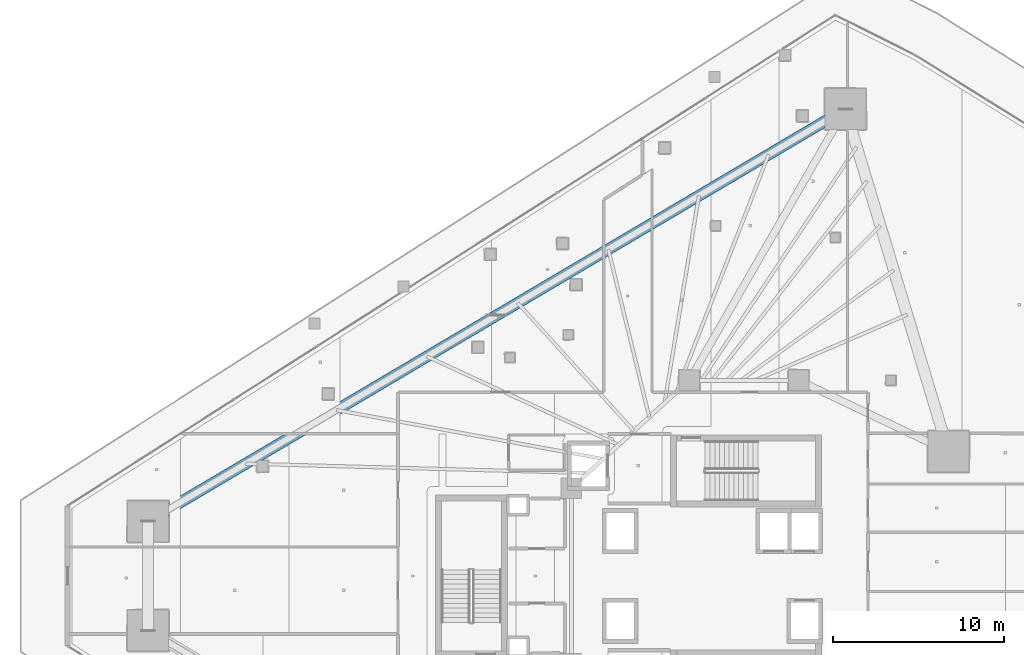
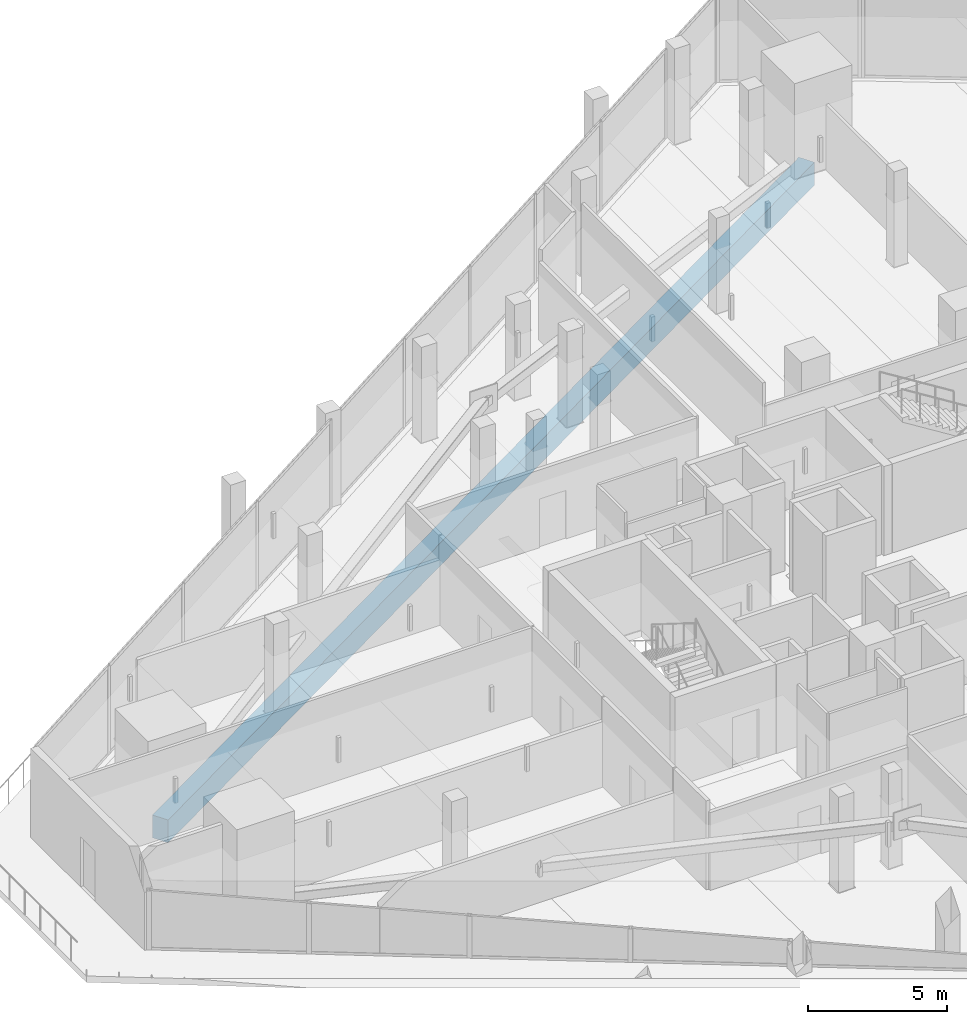
# One storey, part 21 of 52: 1 beam.
"""IFC4 building model written with IfcOpenShell, lengths in metres."""

import ifcopenshell
import ifcopenshell.guid

model = None  # the IFC model being written
_history = None  # IfcOwnerHistory: only IFC2X3 demands one
_inside = {}  # id of a spatial element -> (the spatial element, [elements in it])
_under = {}  # id of a project, library or spatial element -> (it, [spatial elements below it])
_declared = {}  # id of a project -> (the project, [libraries it declares])
_typed = {}  # id of a type object -> (the type object, [elements of that type])
_made_of = {}  # id of a material, layer set ... -> (it, [elements and type objects made of it])


def new_model(schema):
    """Start an empty IFC model of exactly this schema.

    Asked for "IFC4X3", IfcOpenShell would pick the latest addendum, in which some entities
    have other attributes; the version numbers below select the first issue.
    IFC2X3 requires an IfcOwnerHistory on every rooted entity: one is made here for all.
    """
    global model, _history
    if schema == "IFC4X3":
        model = ifcopenshell.file(schema_version=(4, 3, 0, 0))
    else:
        model = ifcopenshell.file(schema=schema)
    _inside.clear()
    _under.clear()
    _declared.clear()
    _typed.clear()
    _made_of.clear()
    _history = None
    if model.schema == "IFC2X3":
        org = make("IfcOrganization", Name="unknown")
        user = make(
            "IfcPersonAndOrganization",
            ThePerson=make("IfcPerson", FamilyName="unknown"),
            TheOrganization=org,
        )
        app = make(
            "IfcApplication",
            ApplicationDeveloper=org,
            Version="unknown",
            ApplicationFullName="unknown",
            ApplicationIdentifier="unknown",
        )
        _history = make(
            "IfcOwnerHistory",
            OwningUser=user,
            OwningApplication=app,
            ChangeAction="ADDED",
            CreationDate=0,
        )
    return model


def make(cls, **values):
    """One entity of the class cls with the attributes given. An attribute that is None is left unset."""
    return model.create_entity(
        cls, **{name: value for name, value in values.items() if value is not None}
    )


def rooted(cls, **values):
    """An entity with a GlobalId (a new one), such as an element, a storey or a relation."""
    return make(cls, GlobalId=ifcopenshell.guid.new(), OwnerHistory=_history, **values)


def si_unit(unit_type, name, prefix=None):
    """IfcSIUnit, for example si_unit("LENGTHUNIT", "METRE", prefix="MILLI")."""
    return make("IfcSIUnit", UnitType=unit_type, Prefix=prefix, Name=name)


def assignment(units):
    """IfcUnitAssignment: the units of a project."""
    return None if units is None else make("IfcUnitAssignment", Units=units)


def point(xyz):
    """IfcCartesianPoint."""
    return None if xyz is None else make("IfcCartesianPoint", Coordinates=xyz)


def direction(xyz):
    """IfcDirection."""
    return None if xyz is None else make("IfcDirection", DirectionRatios=xyz)


def frame(location, z_axis=None, x_axis=None):
    """IfcAxis2Placement3D, a coordinate frame: its origin and axes. An axis left out is left unset."""
    return make(
        "IfcAxis2Placement3D",
        Location=point(location),
        Axis=direction(z_axis),
        RefDirection=direction(x_axis),
    )


def frame_2d(location, x_axis=None):
    """IfcAxis2Placement2D, a coordinate frame in the plane: its origin and x axis."""
    return make(
        "IfcAxis2Placement2D", Location=point(location), RefDirection=direction(x_axis)
    )


def origin():
    """The frame at (0, 0, 0) with its axes left unset."""
    return frame((0.0, 0.0, 0.0))


def origin_2d():
    """The frame at (0, 0) in the plane with its x axis left unset."""
    return frame_2d((0.0, 0.0))


def place(relative_to, where):
    """IfcLocalPlacement: puts the frame where relative to a parent placement (None: the world)."""
    return make(
        "IfcLocalPlacement", PlacementRelTo=relative_to, RelativePlacement=where
    )


def context(
    kind, dimensions, precision=None, world=None, true_north=None, identifier=None
):
    """IfcGeometricRepresentationContext, for example the 3D "Model" context."""
    return make(
        "IfcGeometricRepresentationContext",
        ContextIdentifier=identifier,
        ContextType=kind,
        CoordinateSpaceDimension=dimensions,
        Precision=precision,
        WorldCoordinateSystem=world,
        TrueNorth=true_north,
    )


def subcontext(parent, identifier, kind, view, scale=None):
    """IfcGeometricRepresentationSubContext, for example "Body" below "Model"."""
    return make(
        "IfcGeometricRepresentationSubContext",
        ContextIdentifier=identifier,
        ContextType=kind,
        ParentContext=parent,
        TargetScale=scale,
        TargetView=view,
    )


def project(units=None, contexts=None):
    """IfcProject with its units and contexts."""
    return rooted(
        "IfcProject",
        Name="project",
        RepresentationContexts=contexts,
        UnitsInContext=assignment(units),
    )


def spatial(cls, under=None, at=None, **own):
    """A site, building, storey or space (cls), placed at a placement, below another one or the project."""
    s = rooted(cls, ObjectPlacement=at, **own)
    if under is not None:
        _under.setdefault(under.id(), (under, []))[1].append(s)
    return s


def profile(cls, at=None, kind="AREA", **sizes):
    """A parametric profile (cls). Its sizes go by their IFC names, for example OverallWidth=200.0."""
    return make(cls, ProfileType=kind, Position=at, **sizes)


def rectangle(**sizes):
    """IfcRectangleProfileDef."""
    return profile("IfcRectangleProfileDef", **sizes)


def extrude(swept, where, along, depth):
    """IfcExtrudedAreaSolid: the profile swept, set in the frame where, extruded along a direction by depth."""
    return make(
        "IfcExtrudedAreaSolid",
        SweptArea=swept,
        Position=where,
        ExtrudedDirection=direction(along),
        Depth=depth,
    )


def shape(context_of_items, identifier, shape_type, items):
    """IfcShapeRepresentation: the items that make up one representation, for example the "Body"."""
    return make(
        "IfcShapeRepresentation",
        ContextOfItems=context_of_items,
        RepresentationIdentifier=identifier,
        RepresentationType=shape_type,
        Items=items,
    )


def material(Name=None, Category=None):
    """IfcMaterial."""
    return make("IfcMaterial", Name=Name, Category=Category)


def material_profile(
    of_material, cross_section, Name=None, Category=None, Priority=None
):
    """IfcMaterialProfile: a cross section and its material."""
    return make(
        "IfcMaterialProfile",
        Name=Name,
        Material=of_material,
        Profile=cross_section,
        Priority=Priority,
        Category=Category,
    )


def profile_set(profiles, Name=None, composite=None):
    """IfcMaterialProfileSet."""
    return make(
        "IfcMaterialProfileSet",
        Name=Name,
        MaterialProfiles=profiles,
        CompositeProfile=composite,
    )


def made_of(thing, what):
    """Note that an element or type object is made of a material, layer set ...; save() writes the relation."""
    if what is not None:
        _made_of.setdefault(what.id(), (what, []))[1].append(thing)
    return thing


def type_object(cls, material=None, **own):
    """A type object (cls), such as IfcWallType, which elements share."""
    return made_of(rooted(cls, **own), material)


def element(
    cls,
    number,
    at=None,
    inside=None,
    cuts=None,
    type_object=None,
    material=None,
    context=None,
    identifier="Body",
    shape_type=None,
    held_by="IfcProductDefinitionShape",
    body=None,
    shapes=None,
    **own,
):
    """One element of the class cls, such as IfcWall. Its Tag is "e" and its number.

    at: its placement. inside: the storey or other place that contains it. cuts: it is an
    opening in that element (IfcRelVoidsElement). A single representation is given by context,
    identifier, shape_type and body (its items); several are given by shapes. held_by: the class
    of the entity that holds the representations. save() writes the other relations.
    """
    e = rooted(cls, Tag="e%d" % number, ObjectPlacement=at, **own)
    if body is not None:
        shapes = [shape(context, identifier, shape_type, body)]
    if shapes is not None:
        e.Representation = make(held_by, Representations=shapes)
    if inside is not None:
        _inside.setdefault(inside.id(), (inside, []))[1].append(e)
    if cuts is not None:
        rooted(
            "IfcRelVoidsElement", RelatingBuildingElement=cuts, RelatedOpeningElement=e
        )
    if type_object is not None:
        _typed.setdefault(type_object.id(), (type_object, []))[1].append(e)
    return made_of(e, material)


def aggregate(whole, parts):
    """IfcRelAggregates: a whole, such as a stair, and the parts it consists of."""
    return rooted("IfcRelAggregates", RelatingObject=whole, RelatedObjects=parts)


def save(model, path):
    """Write the relations noted so far, then the file.

    IfcRelAggregates (storeys below a building ...), IfcRelContainedInSpatialStructure (elements
    in a storey), IfcRelDefinesByType, IfcRelAssociatesMaterial and IfcRelDeclares: one each for
    every whole, place, type object, material and project.
    """
    for whole, parts in _under.values():
        aggregate(whole, parts)
    for where, things in _inside.values():
        rooted(
            "IfcRelContainedInSpatialStructure",
            RelatedElements=things,
            RelatingStructure=where,
        )
    for kind, things in _typed.values():
        rooted("IfcRelDefinesByType", RelatedObjects=things, RelatingType=kind)
    for what, things in _made_of.values():
        rooted("IfcRelAssociatesMaterial", RelatedObjects=things, RelatingMaterial=what)
    for by, libraries in _declared.values():
        rooted("IfcRelDeclares", RelatingContext=by, RelatedDefinitions=libraries)
    model.write(path)


model = new_model("IFC4")

# Units and contexts
model_context = context("Model", 3, precision=1e-05, world=origin(), true_north=direction((0.0, 1.0)))
body_context = subcontext(model_context, "Body", "Model", "MODEL_VIEW")
ifc_project = project(units=[si_unit("LENGTHUNIT", "METRE"), si_unit("AREAUNIT", "SQUARE_METRE"), si_unit("VOLUMEUNIT", "CUBIC_METRE"), si_unit("PLANEANGLEUNIT", "RADIAN"), si_unit("MASSUNIT", "GRAM", prefix="KILO")], contexts=[model_context])

# Site, building, storey
site_placement = place(None, origin())
site = spatial("IfcSite", under=ifc_project, at=site_placement, CompositionType="ELEMENT")
building_placement = place(site_placement, origin())
building = spatial("IfcBuilding", under=site, at=building_placement, Name="Qorvath Tower", CompositionType="ELEMENT")
storey_placement = place(building_placement, frame((0.0, 0.0, 61.800048828125)))
storey = spatial("IfcBuildingStorey", under=building, at=storey_placement, Name="L13", CompositionType="ELEMENT", Elevation=61.800048828125)

# Beam
ifc_material = material(Name="Concrete C50/60", Category="concrete")
ifc_material_profile = material_profile(ifc_material, rectangle(XDim=0.64990234375, YDim=1.0, at=origin_2d()), Name="RCB 1000x650")
ifc_profile_set = profile_set([ifc_material_profile], Name="Concrete C50/60")
beam_type = type_object("IfcBeamType", Name="BM-RCB1", PredefinedType="SPANDREL", material=ifc_profile_set)
beam_placement = place(storey_placement, frame((-14.46435546875, 27.330810546875, -0.780029296875), z_axis=(-0.860777360917, -0.508981664633, 0.0), x_axis=(0.508981664633, -0.860777360917, 0.0)))
element("IfcBeam", 1, at=beam_placement, inside=storey, type_object=beam_type, Name="Perimeter Loggia Frame Beam MC6-MC1 L13", PredefinedType="SPANDREL", context=body_context, shape_type="SweptSolid", body=[
    extrude(rectangle(XDim=0.64990234375, YDim=1.0, at=origin_2d()), origin(), (0.0, 0.0, 1.0), 47.420654296875),
])

save(model, "model.ifc")
